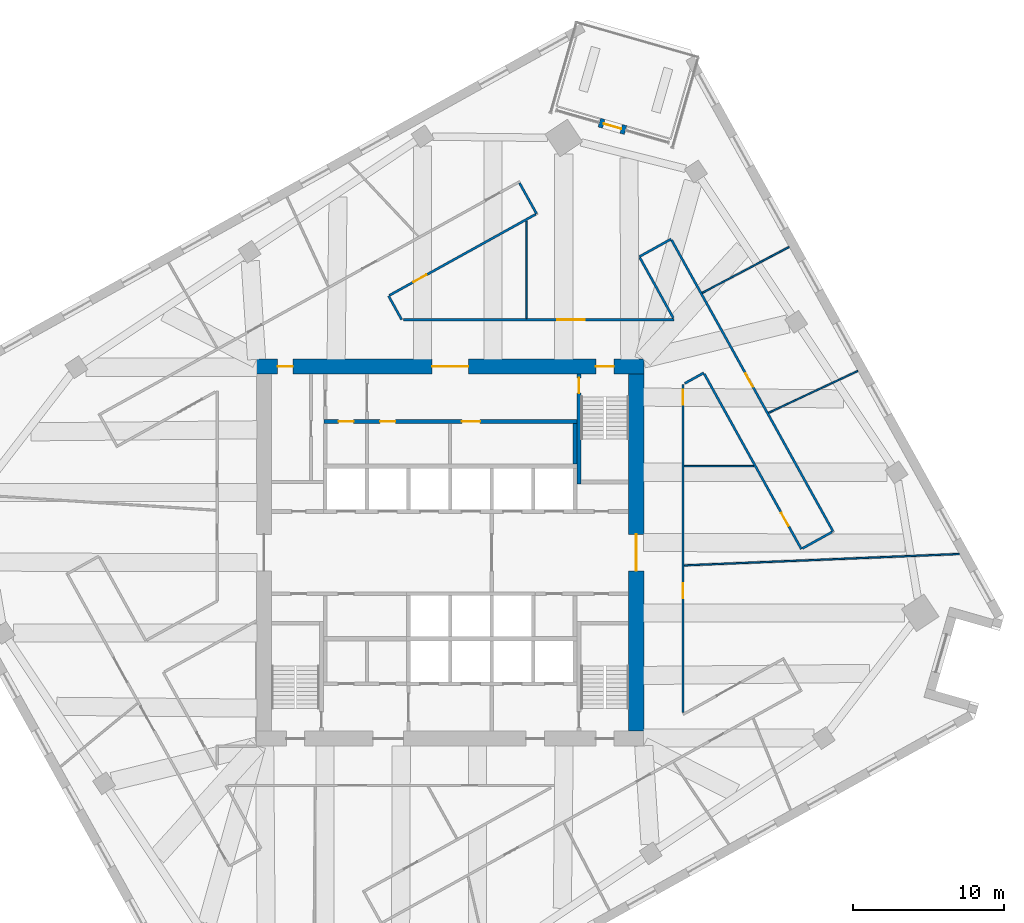
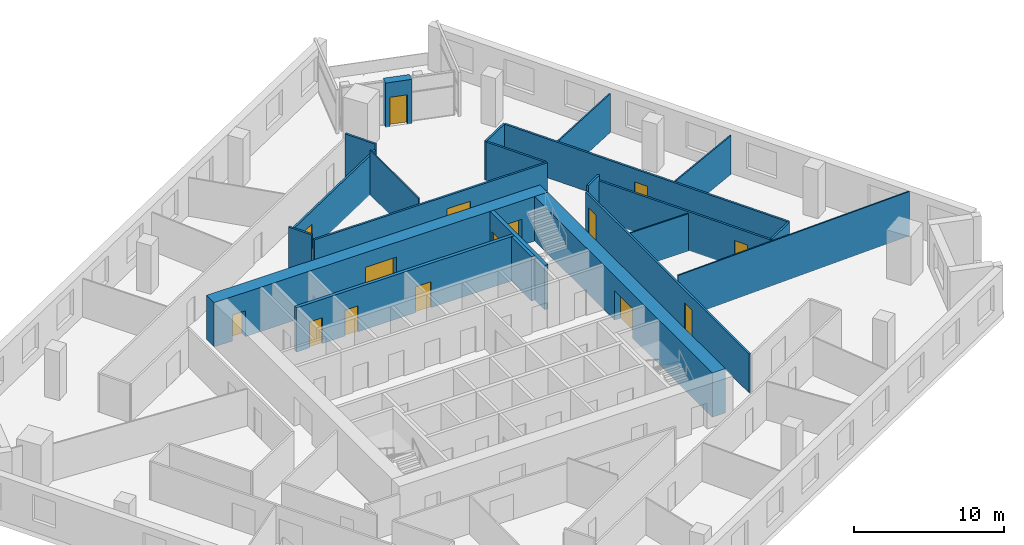
# One storey, part 9 of 12: 22 walls, 15 doors, 15 openings.
"""IFC4 building model written with IfcOpenShell, lengths in metres."""

from ifc_helpers import new_model, si_unit, direction, frame, frame_2d, origin, place, context, subcontext, project, spatial, rectangle, extrude, material, layer, layer_set, type_object, element, fill, save


model = new_model("IFC4")

# Units and contexts
model_context = context("Model", 3, precision=1e-05, world=origin(), true_north=direction((0.0, 1.0)))
body_context = subcontext(model_context, "Body", "Model", "MODEL_VIEW")
ifc_project = project(units=[si_unit("LENGTHUNIT", "METRE"), si_unit("AREAUNIT", "SQUARE_METRE"), si_unit("VOLUMEUNIT", "CUBIC_METRE"), si_unit("PLANEANGLEUNIT", "RADIAN"), si_unit("MASSUNIT", "GRAM", prefix="KILO")], contexts=[model_context])

# Site, building, storey
site_placement = place(None, origin())
site = spatial("IfcSite", under=ifc_project, at=site_placement, CompositionType="ELEMENT")
building_placement = place(site_placement, origin())
building = spatial("IfcBuilding", under=site, at=building_placement, Name="Dilmun Exchange Tower", CompositionType="ELEMENT")
storey_placement = place(building_placement, frame((0.0, 0.0, 139.699951171875)))
storey = spatial("IfcBuildingStorey", under=building, at=storey_placement, Name="L32", CompositionType="ELEMENT", Elevation=139.699951171875)

# Wall
ifc_material_1 = material(Name="Concrete C40/50", Category="concrete")
ifc_layer_1 = layer(ifc_material_1, 0.25)
ifc_layer_set_1 = layer_set([ifc_layer_1], Name="Concrete C40/50")
wall_type_1 = type_object("IfcWallType", Name="Core partition wall 250", PredefinedType="PARTITIONING", material=ifc_layer_set_1)
wall_1_placement = place(storey_placement, frame((8.25, 5.85498046875, 0.0), z_axis=(0.0, 0.0, 1.0), x_axis=(0.0, 1.0, 0.0)))
element("IfcWall", 1, at=wall_1_placement, inside=storey, type_object=wall_type_1, Name="L32 core partition wall 19", PredefinedType="PARTITIONING", context=body_context, shape_type="SweptSolid", body=[
    extrude(rectangle(XDim=2.68994140625, YDim=0.25, at=frame_2d((1.344970703125, 0.0))), origin(), (0.0, 0.0, 1.0), 3.60009765625),
])

# Wall, openings, doors
wall_2_placement = place(storey_placement, frame((-8.35009765625, 8.675048828125, 0.0), z_axis=(0.0, 0.0, 1.0), x_axis=(1.0, 0.0, 0.0)))
wall_2 = element("IfcWall", 2, at=wall_2_placement, inside=storey, type_object=wall_type_1, Name="L32 core partition wall 20", PredefinedType="PARTITIONING", context=body_context, shape_type="SweptSolid", body=[
    extrude(rectangle(XDim=16.72021484375, YDim=0.25, at=frame_2d((8.360107421875, 0.0))), origin(), (0.0, 0.0, 1.0), 3.60009765625),
])
opening_1_placement = place(wall_2_placement, frame((0.97509765625, 0.0, 0.0)))
opening_1 = element("IfcOpeningElement", 3, at=opening_1_placement, cuts=wall_2, Name="Opening CD4", PredefinedType="OPENING", context=body_context, shape_type="SweptSolid", body=[
    extrude(rectangle(XDim=1.0, YDim=2.10009765625, at=frame_2d((0.5, 1.050048828125))), frame((0.0, 0.135009765625, 0.0), z_axis=(0.0, -1.0, 0.0), x_axis=(1.0, 0.0, 0.0)), (0.0, 0.0, 1.0), 0.27001953125),
])
opening_2_placement = place(wall_2_placement, frame((3.72509765625, 0.0, 0.0)))
opening_2 = element("IfcOpeningElement", 4, at=opening_2_placement, cuts=wall_2, Name="Opening CD4", PredefinedType="OPENING", context=body_context, shape_type="SweptSolid", body=[
    extrude(rectangle(XDim=1.0, YDim=2.10009765625, at=frame_2d((0.5, 1.050048828125))), frame((0.0, 0.135009765625, 0.0), z_axis=(0.0, -1.0, 0.0), x_axis=(1.0, 0.0, 0.0)), (0.0, 0.0, 1.0), 0.27001953125),
])
opening_3_placement = place(wall_2_placement, frame((9.125, 0.0, 0.0)))
opening_3 = element("IfcOpeningElement", 5, at=opening_3_placement, cuts=wall_2, Name="Opening CD3", PredefinedType="OPENING", context=body_context, shape_type="SweptSolid", body=[
    extrude(rectangle(XDim=1.199951171875, YDim=2.10009765625, at=frame_2d((0.60009765625, 1.050048828125))), frame((0.0, 0.135009765625, 0.0), z_axis=(0.0, -1.0, 0.0), x_axis=(1.0, 0.0, 0.0)), (0.0, 0.0, 1.0), 0.27001953125),
])
ifc_material_2 = material(Name="Fire-rated steel door set", Category="steel")
door_type_1 = type_object("IfcDoorType", Name="Core room door 1000x2100", OperationType="SINGLE_SWING_LEFT", PredefinedType="DOOR", material=ifc_material_2)
door_1_placement = place(opening_1_placement, origin())
door_1 = element("IfcDoor", 6, at=door_1_placement, inside=storey, type_object=door_type_1, Name="L32 door Records store", OperationType="SINGLE_SWING_LEFT", OverallHeight=2.10009765625, OverallWidth=1.0, PredefinedType="DOOR", context=body_context, shape_type="SweptSolid", body=[
    extrude(rectangle(XDim=1.0, YDim=2.10009765625, at=frame_2d((0.5, 1.050048828125))), frame((0.0, 0.02490234375, 0.0), z_axis=(0.0, -1.0, 0.0), x_axis=(1.0, 0.0, 0.0)), (0.0, 0.0, 1.0), 0.050048828125),
])
fill(opening_1, door_1)
door_2_placement = place(opening_2_placement, origin())
door_2 = element("IfcDoor", 7, at=door_2_placement, inside=storey, type_object=door_type_1, Name="L32 door Mechanical room", OperationType="SINGLE_SWING_LEFT", OverallHeight=2.10009765625, OverallWidth=1.0, PredefinedType="DOOR", context=body_context, shape_type="SweptSolid", body=[
    extrude(rectangle(XDim=1.0, YDim=2.10009765625, at=frame_2d((0.5, 1.050048828125))), frame((0.0, 0.02490234375, 0.0), z_axis=(0.0, -1.0, 0.0), x_axis=(1.0, 0.0, 0.0)), (0.0, 0.0, 1.0), 0.050048828125),
])
fill(opening_2, door_2)
door_type_2 = type_object("IfcDoorType", Name="Stair exit door 1200x2100", OperationType="SINGLE_SWING_LEFT", PredefinedType="DOOR", material=ifc_material_2)
door_3_placement = place(opening_3_placement, origin())
door_3 = element("IfcDoor", 8, at=door_3_placement, inside=storey, type_object=door_type_2, Name="L32 door Tenant meeting suite", OperationType="SINGLE_SWING_LEFT", OverallHeight=2.10009765625, OverallWidth=1.199951171875, PredefinedType="DOOR", context=body_context, shape_type="SweptSolid", body=[
    extrude(rectangle(XDim=1.199951171875, YDim=2.10009765625, at=frame_2d((0.60009765625, 1.050048828125))), frame((0.0, 0.02490234375, 0.0), z_axis=(0.0, -1.0, 0.0), x_axis=(1.0, 0.0, 0.0)), (0.0, 0.0, 1.0), 0.050048828125),
])
fill(opening_3, door_3)

ifc_material_3 = material(Name="Concrete C70/85", Category="concrete")
ifc_layer_2 = layer(ifc_material_3, 1.0)
ifc_layer_set_2 = layer_set([ifc_layer_2], Name="Concrete C70/85")
wall_type_2 = type_object("IfcWallType", Name="Core shear wall 1000 Concrete C70/85", PredefinedType="SHEAR", material=ifc_layer_set_2)
wall_3_placement = place(storey_placement, frame((-12.800048828125, 12.300048828125, 0.0), z_axis=(0.0, 0.0, 1.0), x_axis=(1.0, 0.0, 0.0)))
wall_3 = element("IfcWall", 9, at=wall_3_placement, inside=storey, type_object=wall_type_2, Name="L32 core shear wall N", PredefinedType="SHEAR", context=body_context, shape_type="SweptSolid", body=[
    extrude(rectangle(XDim=25.60009765625, YDim=1.0, at=frame_2d((12.800048828125, 0.0))), origin(), (0.0, 0.0, 1.0), 3.60009765625),
])
opening_4_placement = place(wall_3_placement, frame((11.60009765625, 0.0, 0.0)))
opening_4 = element("IfcOpeningElement", 10, at=opening_4_placement, cuts=wall_3, Name="Opening CD1", PredefinedType="OPENING", context=body_context, shape_type="SweptSolid", body=[
    extrude(rectangle(XDim=2.39990234375, YDim=2.39990234375, at=frame_2d((1.199951171875, 1.199951171875))), frame((0.0, 0.510009765625, 0.0), z_axis=(0.0, -1.0, 0.0), x_axis=(1.0, 0.0, 0.0)), (0.0, 0.0, 1.0), 1.02001953125),
])
opening_5_placement = place(wall_3_placement, frame((22.425048828125, 0.0, 0.0)))
opening_5 = element("IfcOpeningElement", 11, at=opening_5_placement, cuts=wall_3, Name="Opening CD3", PredefinedType="OPENING", context=body_context, shape_type="SweptSolid", body=[
    extrude(rectangle(XDim=1.199951171875, YDim=2.10009765625, at=frame_2d((0.60009765625, 1.050048828125))), frame((0.0, 0.510009765625, 0.0), z_axis=(0.0, -1.0, 0.0), x_axis=(1.0, 0.0, 0.0)), (0.0, 0.0, 1.0), 1.02001953125),
])
opening_6_placement = place(wall_3_placement, frame((1.39990234375, 0.0, 0.0)))
opening_6 = element("IfcOpeningElement", 12, at=opening_6_placement, cuts=wall_3, Name="Opening CD4", PredefinedType="OPENING", context=body_context, shape_type="SweptSolid", body=[
    extrude(rectangle(XDim=1.0, YDim=2.10009765625, at=frame_2d((0.5, 1.050048828125))), frame((0.0, 0.510009765625, 0.0), z_axis=(0.0, -1.0, 0.0), x_axis=(1.0, 0.0, 0.0)), (0.0, 0.0, 1.0), 1.02001953125),
])
door_type_3 = type_object("IfcDoorType", Name="Core lobby door 2400x2400", OperationType="DOUBLE_DOOR_DOUBLE_SWING", PredefinedType="DOOR", material=ifc_material_2)
door_4_placement = place(opening_4_placement, origin())
door_4 = element("IfcDoor", 13, at=door_4_placement, inside=storey, type_object=door_type_3, Name="L32 door North lift lobby", OperationType="SINGLE_SWING_LEFT", OverallHeight=2.39990234375, OverallWidth=2.39990234375, PredefinedType="DOOR", context=body_context, shape_type="SweptSolid", body=[
    extrude(rectangle(XDim=2.39990234375, YDim=2.39990234375, at=frame_2d((1.199951171875, 1.199951171875))), frame((0.0, 0.02490234375, 0.0), z_axis=(0.0, -1.0, 0.0), x_axis=(1.0, 0.0, 0.0)), (0.0, 0.0, 1.0), 0.050048828125),
])
fill(opening_4, door_4)
door_5_placement = place(opening_6_placement, origin())
door_5 = element("IfcDoor", 14, at=door_5_placement, inside=storey, type_object=door_type_1, Name="L32 door North-west core rooms", OperationType="SINGLE_SWING_LEFT", OverallHeight=2.10009765625, OverallWidth=1.0, PredefinedType="DOOR", context=body_context, shape_type="SweptSolid", body=[
    extrude(rectangle(XDim=1.0, YDim=2.10009765625, at=frame_2d((0.5, 1.050048828125))), frame((0.0, 0.02490234375, 0.0), z_axis=(0.0, -1.0, 0.0), x_axis=(1.0, 0.0, 0.0)), (0.0, 0.0, 1.0), 0.050048828125),
])
fill(opening_6, door_5)
door_6_placement = place(opening_5_placement, origin())
door_6 = element("IfcDoor", 15, at=door_6_placement, inside=storey, type_object=door_type_2, Name="L32 door Stair ST1", OperationType="SINGLE_SWING_LEFT", OverallHeight=2.10009765625, OverallWidth=1.199951171875, PredefinedType="DOOR", context=body_context, shape_type="SweptSolid", body=[
    extrude(rectangle(XDim=1.199951171875, YDim=2.10009765625, at=frame_2d((0.60009765625, 1.050048828125))), frame((0.0, 0.02490234375, 0.0), z_axis=(0.0, -1.0, 0.0), x_axis=(1.0, 0.0, 0.0)), (0.0, 0.0, 1.0), 0.050048828125),
])
fill(opening_5, door_6)

# Wall, opening, door
wall_4_placement = place(storey_placement, frame((12.300048828125, -11.800048828125, 0.0), z_axis=(0.0, 0.0, 1.0), x_axis=(0.0, 1.0, 0.0)))
wall_4 = element("IfcWall", 16, at=wall_4_placement, inside=storey, type_object=wall_type_2, Name="L32 core shear wall E", PredefinedType="SHEAR", context=body_context, shape_type="SweptSolid", body=[
    extrude(rectangle(XDim=23.60009765625, YDim=1.0, at=frame_2d((11.800048828125, 0.0))), origin(), (0.0, 0.0, 1.0), 3.60009765625),
])
opening_7_placement = place(wall_4_placement, frame((10.60009765625, 0.0, 0.0)))
opening_7 = element("IfcOpeningElement", 17, at=opening_7_placement, cuts=wall_4, Name="Opening CD1", PredefinedType="OPENING", context=body_context, shape_type="SweptSolid", body=[
    extrude(rectangle(XDim=2.39990234375, YDim=2.39990234375, at=frame_2d((1.199951171875, 1.199951171875))), frame((0.0, 0.510009765625, 0.0), z_axis=(0.0, -1.0, 0.0), x_axis=(1.0, 0.0, 0.0)), (0.0, 0.0, 1.0), 1.02001953125),
])
door_7_placement = place(opening_7_placement, origin())
door_7 = element("IfcDoor", 18, at=door_7_placement, inside=storey, type_object=door_type_3, Name="L32 door Central lift lobby", OperationType="SINGLE_SWING_LEFT", OverallHeight=2.39990234375, OverallWidth=2.39990234375, PredefinedType="DOOR", context=body_context, shape_type="SweptSolid", body=[
    extrude(rectangle(XDim=2.39990234375, YDim=2.39990234375, at=frame_2d((1.199951171875, 1.199951171875))), frame((0.0, 0.02490234375, 0.0), z_axis=(0.0, -1.0, 0.0), x_axis=(1.0, 0.0, 0.0)), (0.0, 0.0, 1.0), 0.050048828125),
])
fill(opening_7, door_7)

# Wall
ifc_material_4 = material(Name="Corridor wall 150")
ifc_layer_3 = layer(ifc_material_4, 0.14990234375)
ifc_layer_set_3 = layer_set([ifc_layer_3], Name="Corridor wall 150")
wall_type_3 = type_object("IfcWallType", Name="Corridor wall 150", PredefinedType="PARTITIONING", material=ifc_layer_set_3)
wall_5_placement = place(storey_placement, frame((-4.073974609375, 16.972900390625, 0.0), z_axis=(0.0, 0.0, 1.0), x_axis=(0.484870548803, -0.874585931114, 0.0)))
element("IfcWall", 19, at=wall_5_placement, inside=storey, type_object=wall_type_3, Name="Corridor wall", PredefinedType="PARTITIONING", context=body_context, shape_type="SweptSolid", body=[
    extrude(rectangle(XDim=1.798583984375, YDim=0.14990234375, at=frame_2d((0.8994140625, 0.0))), origin(), (0.0, 0.0, 1.0), 3.60009765625),
])

# Wall, opening, door
wall_6_placement = place(storey_placement, frame((-4.00830078125, 17.009521484375, 0.0), z_axis=(0.0, 0.0, 1.0), x_axis=(0.874611645774, 0.484824163049, 0.0)))
wall_6 = element("IfcWall", 20, at=wall_6_placement, inside=storey, type_object=wall_type_3, Name="Corridor wall", PredefinedType="PARTITIONING", context=body_context, shape_type="SweptSolid", body=[
    extrude(rectangle(XDim=11.041259765625, YDim=0.14990234375, at=frame_2d((5.5205078125, 0.0))), origin(), (0.0, 0.0, 1.0), 3.150146484375),
])
opening_8_placement = place(wall_6_placement, frame((1.800048828125, 0.0, 0.0)))
opening_8 = element("IfcOpeningElement", 21, at=opening_8_placement, cuts=wall_6, Name="Opening TF31-D12", PredefinedType="OPENING", context=body_context, shape_type="SweptSolid", body=[
    extrude(rectangle(XDim=1.0, YDim=2.10009765625, at=frame_2d((0.5, 1.050048828125))), frame((0.0, 0.0849609375, 0.0), z_axis=(0.0, -1.0, 0.0), x_axis=(1.0, 0.0, 0.0)), (0.0, 0.0, 1.0), 0.169921875),
])
ifc_material_5 = material(Name="Fire door 1000 x 2100")
door_type_4 = type_object("IfcDoorType", Name="Fire door 1000 x 2100", OperationType="NOTDEFINED", PredefinedType="DOOR", material=ifc_material_5)
door_8_placement = place(opening_8_placement, frame((1.0, 0.0, 0.0), z_axis=(0.0, 0.0, 1.0), x_axis=(-1.0, 0.0, 0.0)))
door_8 = element("IfcDoor", 22, at=door_8_placement, inside=storey, type_object=door_type_4, Name="Door TF31-D12", OperationType="SINGLE_SWING_RIGHT", OverallHeight=2.10009765625, OverallWidth=1.0, PredefinedType="DOOR", context=body_context, shape_type="SweptSolid", body=[
    extrude(rectangle(XDim=1.0, YDim=2.10009765625, at=frame_2d((0.5, 1.050048828125))), frame((0.0, 0.02490234375, 0.0), z_axis=(0.0, -1.0, 0.0), x_axis=(1.0, 0.0, 0.0)), (0.0, 0.0, 1.0), 0.050048828125),
])
fill(opening_8, door_8)

wall_7_placement = place(storey_placement, frame((-3.07470703125, 15.39990234375, 0.0), z_axis=(0.0, 0.0, 1.0), x_axis=(1.0, 0.0, 0.0)))
wall_7 = element("IfcWall", 23, at=wall_7_placement, inside=storey, type_object=wall_type_3, Name="Corridor wall", PredefinedType="PARTITIONING", context=body_context, shape_type="SweptSolid", body=[
    extrude(rectangle(XDim=17.8857421875, YDim=0.14990234375, at=frame_2d((8.94287109375, 0.0))), origin(), (0.0, 0.0, 1.0), 3.150146484375),
])
opening_9_placement = place(wall_7_placement, frame((10.169921875, 0.0, 0.0)))
opening_9 = element("IfcOpeningElement", 24, at=opening_9_placement, cuts=wall_7, Name="Opening TF31-D15", PredefinedType="OPENING", context=body_context, shape_type="SweptSolid", body=[
    extrude(rectangle(XDim=1.800048828125, YDim=2.10009765625, at=frame_2d((0.89990234375, 1.050048828125))), frame((0.0, 0.0849609375, 0.0), z_axis=(0.0, -1.0, 0.0), x_axis=(1.0, 0.0, 0.0)), (0.0, 0.0, 1.0), 0.169921875),
])
ifc_material_6 = material(Name="Fire door pair 1800 x 2100")
door_type_5 = type_object("IfcDoorType", Name="Fire door pair 1800 x 2100", OperationType="NOTDEFINED", PredefinedType="DOOR", material=ifc_material_6)
door_9_placement = place(opening_9_placement, origin())
door_9 = element("IfcDoor", 25, at=door_9_placement, inside=storey, type_object=door_type_5, Name="Door TF31-D15", OperationType="DOUBLE_DOOR_SINGLE_SWING", OverallHeight=2.10009765625, OverallWidth=1.800048828125, PredefinedType="DOOR", context=body_context, shape_type="SweptSolid", body=[
    extrude(rectangle(XDim=1.800048828125, YDim=2.10009765625, at=frame_2d((0.89990234375, 1.050048828125))), frame((0.0, 0.02490234375, 0.0), z_axis=(0.0, -1.0, 0.0), x_axis=(1.0, 0.0, 0.0)), (0.0, 0.0, 1.0), 0.050048828125),
])
fill(opening_9, door_9)

# Walls
wall_8_placement = place(storey_placement, frame((4.58642578125, 24.432373046875, 0.0), z_axis=(0.0, 0.0, 1.0), x_axis=(0.484983092102, -0.874523527628, 0.0)))
element("IfcWall", 26, at=wall_8_placement, inside=storey, type_object=wall_type_3, Name="Corridor wall", PredefinedType="PARTITIONING", context=body_context, shape_type="SweptSolid", body=[
    extrude(rectangle(XDim=2.3251953125, YDim=0.14990234375, at=frame_2d((1.16259765625, 0.0))), origin(), (0.0, 0.0, 1.0), 3.60009765625),
])
wall_9_placement = place(storey_placement, frame((12.50390625, 19.56298828125, 0.0), z_axis=(0.0, 0.0, 1.0), x_axis=(0.874703778473, 0.484657920522, 0.0)))
element("IfcWall", 27, at=wall_9_placement, inside=storey, type_object=wall_type_3, Name="Corridor wall", PredefinedType="PARTITIONING", context=body_context, shape_type="SweptSolid", body=[
    extrude(rectangle(XDim=2.39990234375, YDim=0.14990234375, at=frame_2d((1.199951171875, 0.0))), origin(), (0.0, 0.0, 1.0), 3.150146484375),
])
wall_10_placement = place(storey_placement, frame((12.540283203125, 19.497314453125, 0.0), z_axis=(0.0, 0.0, 1.0), x_axis=(0.48474201542, -0.874657177691, 0.0)))
element("IfcWall", 28, at=wall_10_placement, inside=storey, type_object=wall_type_3, Name="Corridor wall", PredefinedType="PARTITIONING", context=body_context, shape_type="SweptSolid", body=[
    extrude(rectangle(XDim=4.55712890625, YDim=0.14990234375, at=frame_2d((2.278564453125, 0.0))), origin(), (0.0, 0.0, 1.0), 3.150146484375),
])

# Wall, opening, door
wall_11_placement = place(storey_placement, frame((14.639404296875, 20.660400390625, 0.0), z_axis=(0.0, 0.0, 1.0), x_axis=(0.484803020703, -0.874623365294, 0.0)))
wall_11 = element("IfcWall", 29, at=wall_11_placement, inside=storey, type_object=wall_type_3, Name="Corridor wall", PredefinedType="PARTITIONING", context=body_context, shape_type="SweptSolid", body=[
    extrude(rectangle(XDim=22.020263671875, YDim=0.14990234375, at=frame_2d((11.01025390625, 0.0))), origin(), (0.0, 0.0, 1.0), 3.150146484375),
])
opening_10_placement = place(wall_11_placement, frame((10.08251953125, 0.0, 0.0)))
opening_10 = element("IfcOpeningElement", 30, at=opening_10_placement, cuts=wall_11, Name="Opening TF31-D20", PredefinedType="OPENING", context=body_context, shape_type="SweptSolid", body=[
    extrude(rectangle(XDim=1.0, YDim=2.10009765625, at=frame_2d((0.5, 1.050048828125))), frame((0.0, 0.0849609375, 0.0), z_axis=(0.0, -1.0, 0.0), x_axis=(1.0, 0.0, 0.0)), (0.0, 0.0, 1.0), 0.169921875),
])
door_10_placement = place(opening_10_placement, origin())
door_10 = element("IfcDoor", 31, at=door_10_placement, inside=storey, type_object=door_type_4, Name="Door TF31-D20", OperationType="SINGLE_SWING_RIGHT", OverallHeight=2.10009765625, OverallWidth=1.0, PredefinedType="DOOR", context=body_context, shape_type="SweptSolid", body=[
    extrude(rectangle(XDim=1.0, YDim=2.10009765625, at=frame_2d((0.5, 1.050048828125))), frame((0.0, 0.02490234375, 0.0), z_axis=(0.0, -1.0, 0.0), x_axis=(1.0, 0.0, 0.0)), (0.0, 0.0, 1.0), 0.050048828125),
])
fill(opening_10, door_10)

# Wall, openings, doors
wall_12_placement = place(storey_placement, frame((15.39990234375, -10.567626953125, 0.0), z_axis=(0.0, 0.0, 1.0), x_axis=(0.0, 1.0, 0.0)))
wall_12 = element("IfcWall", 32, at=wall_12_placement, inside=storey, type_object=wall_type_3, Name="Corridor wall", PredefinedType="PARTITIONING", context=body_context, shape_type="SweptSolid", body=[
    extrude(rectangle(XDim=21.694580078125, YDim=0.14990234375, at=frame_2d((10.84716796875, 0.0))), origin(), (0.0, 0.0, 1.0), 3.150146484375),
])
opening_11_placement = place(wall_12_placement, frame((20.33349609375, 0.0, 0.0)))
opening_11 = element("IfcOpeningElement", 33, at=opening_11_placement, cuts=wall_12, Name="Opening TF31-D18", PredefinedType="OPENING", context=body_context, shape_type="SweptSolid", body=[
    extrude(rectangle(XDim=1.0, YDim=2.10009765625, at=frame_2d((0.5, 1.050048828125))), frame((0.0, 0.0849609375, 0.0), z_axis=(0.0, -1.0, 0.0), x_axis=(1.0, 0.0, 0.0)), (0.0, 0.0, 1.0), 0.169921875),
])
opening_12_placement = place(wall_12_placement, frame((7.550048828125, 0.0, 0.0)))
opening_12 = element("IfcOpeningElement", 34, at=opening_12_placement, cuts=wall_12, Name="Opening TF31-D23", PredefinedType="OPENING", context=body_context, shape_type="SweptSolid", body=[
    extrude(rectangle(XDim=1.0, YDim=2.10009765625, at=frame_2d((0.5, 1.050048828125))), frame((0.0, 0.0849609375, 0.0), z_axis=(0.0, -1.0, 0.0), x_axis=(1.0, 0.0, 0.0)), (0.0, 0.0, 1.0), 0.169921875),
])
door_11_placement = place(opening_11_placement, frame((1.0, 0.0, 0.0), z_axis=(0.0, 0.0, 1.0), x_axis=(-1.0, 0.0, 0.0)))
door_11 = element("IfcDoor", 35, at=door_11_placement, inside=storey, type_object=door_type_4, Name="Door TF31-D18", OperationType="SINGLE_SWING_LEFT", OverallHeight=2.10009765625, OverallWidth=1.0, PredefinedType="DOOR", context=body_context, shape_type="SweptSolid", body=[
    extrude(rectangle(XDim=1.0, YDim=2.10009765625, at=frame_2d((0.5, 1.050048828125))), frame((0.0, 0.02490234375, 0.0), z_axis=(0.0, -1.0, 0.0), x_axis=(1.0, 0.0, 0.0)), (0.0, 0.0, 1.0), 0.050048828125),
])
fill(opening_11, door_11)
door_12_placement = place(opening_12_placement, frame((1.0, 0.0, 0.0), z_axis=(0.0, 0.0, 1.0), x_axis=(-1.0, 0.0, 0.0)))
door_12 = element("IfcDoor", 36, at=door_12_placement, inside=storey, type_object=door_type_4, Name="Door TF31-D23", OperationType="SINGLE_SWING_RIGHT", OverallHeight=2.10009765625, OverallWidth=1.0, PredefinedType="DOOR", context=body_context, shape_type="SweptSolid", body=[
    extrude(rectangle(XDim=1.0, YDim=2.10009765625, at=frame_2d((0.5, 1.050048828125))), frame((0.0, 0.02490234375, 0.0), z_axis=(0.0, -1.0, 0.0), x_axis=(1.0, 0.0, 0.0)), (0.0, 0.0, 1.0), 0.050048828125),
])
fill(opening_12, door_12)

# Wall
wall_13_placement = place(storey_placement, frame((15.511474609375, 11.188720703125, 0.0), z_axis=(0.0, 0.0, 1.0), x_axis=(0.874559677803, 0.484917900227, 0.0)))
element("IfcWall", 37, at=wall_13_placement, inside=storey, type_object=wall_type_3, Name="Corridor wall", PredefinedType="PARTITIONING", context=body_context, shape_type="SweptSolid", body=[
    extrude(rectangle(XDim=1.429931640625, YDim=0.14990234375, at=frame_2d((0.71484375, 0.0))), origin(), (0.0, 0.0, 1.0), 3.60009765625),
])

# Wall, opening, door
wall_14_placement = place(storey_placement, frame((16.79833984375, 11.81640625, 0.0), z_axis=(0.0, 0.0, 1.0), x_axis=(0.484762728721, -0.874645697893, 0.0)))
wall_14 = element("IfcWall", 38, at=wall_14_placement, inside=storey, type_object=wall_type_3, Name="Corridor wall", PredefinedType="PARTITIONING", context=body_context, shape_type="SweptSolid", body=[
    extrude(rectangle(XDim=13.239013671875, YDim=0.14990234375, at=frame_2d((6.61962890625, 0.0))), origin(), (0.0, 0.0, 1.0), 3.150146484375),
])
opening_13_placement = place(wall_14_placement, frame((10.502685546875, 0.0, 0.0)))
opening_13 = element("IfcOpeningElement", 39, at=opening_13_placement, cuts=wall_14, Name="Opening TF31-D21", PredefinedType="OPENING", context=body_context, shape_type="SweptSolid", body=[
    extrude(rectangle(XDim=1.0, YDim=2.10009765625, at=frame_2d((0.5, 1.050048828125))), frame((0.0, 0.0849609375, 0.0), z_axis=(0.0, -1.0, 0.0), x_axis=(1.0, 0.0, 0.0)), (0.0, 0.0, 1.0), 0.169921875),
])
door_13_placement = place(opening_13_placement, frame((1.0, 0.0, 0.0), z_axis=(0.0, 0.0, 1.0), x_axis=(-1.0, 0.0, 0.0)))
door_13 = element("IfcDoor", 40, at=door_13_placement, inside=storey, type_object=door_type_4, Name="Door TF31-D21", OperationType="SINGLE_SWING_RIGHT", OverallHeight=2.10009765625, OverallWidth=1.0, PredefinedType="DOOR", context=body_context, shape_type="SweptSolid", body=[
    extrude(rectangle(XDim=1.0, YDim=2.10009765625, at=frame_2d((0.5, 1.050048828125))), frame((0.0, 0.02490234375, 0.0), z_axis=(0.0, -1.0, 0.0), x_axis=(1.0, 0.0, 0.0)), (0.0, 0.0, 1.0), 0.050048828125),
])
fill(opening_13, door_13)

# Walls
wall_15_placement = place(storey_placement, frame((23.281494140625, 0.2734375, 0.0), z_axis=(0.0, 0.0, 1.0), x_axis=(0.874586823728, 0.484868938747, 0.0)))
element("IfcWall", 41, at=wall_15_placement, inside=storey, type_object=wall_type_3, Name="Corridor wall", PredefinedType="PARTITIONING", context=body_context, shape_type="SweptSolid", body=[
    extrude(rectangle(XDim=2.250244140625, YDim=0.14990234375, at=frame_2d((1.125, 0.0))), origin(), (0.0, 0.0, 1.0), 3.150146484375),
])
ifc_material_7 = material(Name="Partition 100")
ifc_layer_4 = layer(ifc_material_7, 0.10009765625)
ifc_layer_set_4 = layer_set([ifc_layer_4], Name="Partition 100")
wall_type_4 = type_object("IfcWallType", Name="Partition 100", PredefinedType="PARTITIONING", material=ifc_layer_set_4)
wall_16_placement = place(storey_placement, frame((5.044921875, 15.47509765625, 0.0), z_axis=(0.0, 0.0, 1.0), x_axis=(0.0, 1.0, 0.0)))
element("IfcWall", 42, at=wall_16_placement, inside=storey, type_object=wall_type_4, Name="Partition", PredefinedType="PARTITIONING", context=body_context, shape_type="SweptSolid", body=[
    extrude(rectangle(XDim=6.439453125, YDim=0.10009765625, at=frame_2d((3.2197265625, 0.0))), origin(), (0.0, 0.0, 1.0), 3.60009765625),
])
wall_17_placement = place(storey_placement, frame((15.47509765625, 5.716064453125, 0.0), z_axis=(0.0, 0.0, 1.0), x_axis=(1.0, 0.0, 0.0)))
element("IfcWall", 43, at=wall_17_placement, inside=storey, type_object=wall_type_4, Name="Partition", PredefinedType="PARTITIONING", context=body_context, shape_type="SweptSolid", body=[
    extrude(rectangle(XDim=4.59033203125, YDim=0.10009765625, at=frame_2d((2.295166015625, 0.0))), origin(), (0.0, 0.0, 1.0), 3.030029296875),
])
wall_18_placement = place(storey_placement, frame((15.47705078125, -0.8447265625, 0.0), z_axis=(0.0, 0.0, 1.0), x_axis=(0.999139523849, 0.041475437099, 0.0)))
element("IfcWall", 44, at=wall_18_placement, inside=storey, type_object=wall_type_4, Name="Partition", PredefinedType="PARTITIONING", context=body_context, shape_type="SweptSolid", body=[
    extrude(rectangle(XDim=18.20068359375, YDim=0.10009765625, at=frame_2d((9.100341796875, 0.0))), origin(), (0.0, 0.0, 1.0), 3.60009765625),
])
wall_19_placement = place(storey_placement, frame((16.662109375, 17.16845703125, 0.0), z_axis=(0.0, 0.0, 1.0), x_axis=(0.883911173827, 0.467654826538, 0.0)))
element("IfcWall", 45, at=wall_19_placement, inside=storey, type_object=wall_type_4, Name="Partition", PredefinedType="PARTITIONING", context=body_context, shape_type="SweptSolid", body=[
    extrude(rectangle(XDim=6.502685546875, YDim=0.10009765625, at=frame_2d((3.25146484375, 0.0))), origin(), (0.0, 0.0, 1.0), 3.150146484375),
])
wall_20_placement = place(storey_placement, frame((21.05810546875, 9.242431640625, 0.0), z_axis=(0.0, 0.0, 1.0), x_axis=(0.905003789347, 0.425403504062, 0.0)))
element("IfcWall", 46, at=wall_20_placement, inside=storey, type_object=wall_type_4, Name="Partition", PredefinedType="PARTITIONING", context=body_context, shape_type="SweptSolid", body=[
    extrude(rectangle(XDim=6.513916015625, YDim=0.10009765625, at=frame_2d((3.2568359375, 0.0))), origin(), (0.0, 0.0, 1.0), 3.150146484375),
])

# Wall, opening, door
ifc_material_8 = material(Name="Precast concrete C50/60", Category="concrete")
ifc_layer_5 = layer(ifc_material_8, 0.60009765625)
ifc_layer_set_5 = layer_set([ifc_layer_5], Name="Precast concrete C50/60")
wall_type_5 = type_object("IfcWallType", Name="Precast stone-clad wall 600", PredefinedType="STANDARD", material=ifc_layer_set_5)
wall_21_placement = place(storey_placement, frame((11.59375, 27.931640625, 0.0), z_axis=(0.0, 0.0, 1.0), x_axis=(-0.96127791106, 0.275580800688, 0.0)))
wall_21 = element("IfcWall", 47, at=wall_21_placement, inside=storey, type_object=wall_type_5, Name="Facade wall L32-01-D", PredefinedType="STANDARD", context=body_context, shape_type="SweptSolid", body=[
    extrude(rectangle(XDim=1.80029296875, YDim=0.60009765625, at=frame_2d((0.900146484375, 0.0))), origin(), (0.0, 0.0, 1.0), 3.60009765625),
])
opening_14_placement = place(wall_21_placement, frame((0.300048828125, 0.0, 0.0)))
opening_14 = element("IfcOpeningElement", 48, at=opening_14_placement, cuts=wall_21, Name="Opening GD-1", PredefinedType="OPENING", context=body_context, shape_type="SweptSolid", body=[
    extrude(rectangle(XDim=1.199951171875, YDim=2.39990234375, at=frame_2d((0.60009765625, 1.199951171875))), frame((0.0, 0.31005859375, 0.0), z_axis=(0.0, -1.0, 0.0), x_axis=(1.0, 0.0, 0.0)), (0.0, 0.0, 1.0), 0.6201171875),
])
ifc_material_9 = material(Name="Clear low-emissivity glass in aluminium frame", Category="aluminium")
door_type_6 = type_object("IfcDoorType", Name="Glazed garden door 1200 x 2400", OperationType="SINGLE_SWING_LEFT", PredefinedType="DOOR", material=ifc_material_9)
door_14_placement = place(opening_14_placement, origin())
door_14 = element("IfcDoor", 49, at=door_14_placement, inside=storey, type_object=door_type_6, Name="Garden terrace door", OperationType="SINGLE_SWING_LEFT", OverallHeight=2.39990234375, OverallWidth=1.199951171875, PredefinedType="DOOR", context=body_context, shape_type="SweptSolid", body=[
    extrude(rectangle(XDim=1.199951171875, YDim=2.39990234375, at=frame_2d((0.60009765625, 1.199951171875))), frame((0.0, 0.02490234375, 0.0), z_axis=(0.0, -1.0, 0.0), x_axis=(1.0, 0.0, 0.0)), (0.0, 0.0, 1.0), 0.050048828125),
])
fill(opening_14, door_14)

ifc_layer_6 = layer(ifc_material_1, 0.27490234375)
ifc_layer_set_6 = layer_set([ifc_layer_6], Name="Concrete C40/50")
wall_type_6 = type_object("IfcWallType", Name="Stair wall 275", PredefinedType="SOLIDWALL", material=ifc_layer_set_6)
wall_22_placement = place(storey_placement, frame((8.512451171875, 4.550048828125, 0.0), z_axis=(0.0, 0.0, 1.0), x_axis=(0.0, 1.0, 0.0)))
wall_22 = element("IfcWall", 50, at=wall_22_placement, inside=storey, type_object=wall_type_6, Name="L32 ST1 wall to lift block", PredefinedType="SOLIDWALL", context=body_context, shape_type="SweptSolid", body=[
    extrude(rectangle(XDim=7.25, YDim=0.27490234375, at=frame_2d((3.625, 0.0))), origin(), (0.0, 0.0, 1.0), 3.60009765625),
])
opening_15_placement = place(wall_22_placement, frame((6.0, 0.0, 0.0)))
opening_15 = element("IfcOpeningElement", 51, at=opening_15_placement, cuts=wall_22, Name="Opening CD4", PredefinedType="OPENING", context=body_context, shape_type="SweptSolid", body=[
    extrude(rectangle(XDim=1.0, YDim=2.10009765625, at=frame_2d((0.5, 1.050048828125))), frame((0.0, 0.1474609375, 0.0), z_axis=(0.0, -1.0, 0.0), x_axis=(1.0, 0.0, 0.0)), (0.0, 0.0, 1.0), 0.294921875),
])
door_15_placement = place(opening_15_placement, origin())
door_15 = element("IfcDoor", 52, at=door_15_placement, inside=storey, type_object=door_type_1, Name="L32 door ST1 from lobby", OperationType="SINGLE_SWING_LEFT", OverallHeight=2.10009765625, OverallWidth=1.0, PredefinedType="DOOR", context=body_context, shape_type="SweptSolid", body=[
    extrude(rectangle(XDim=1.0, YDim=2.10009765625, at=frame_2d((0.5, 1.050048828125))), frame((0.0, 0.02490234375, 0.0), z_axis=(0.0, -1.0, 0.0), x_axis=(1.0, 0.0, 0.0)), (0.0, 0.0, 1.0), 0.050048828125),
])
fill(opening_15, door_15)

save(model, "model.ifc")
